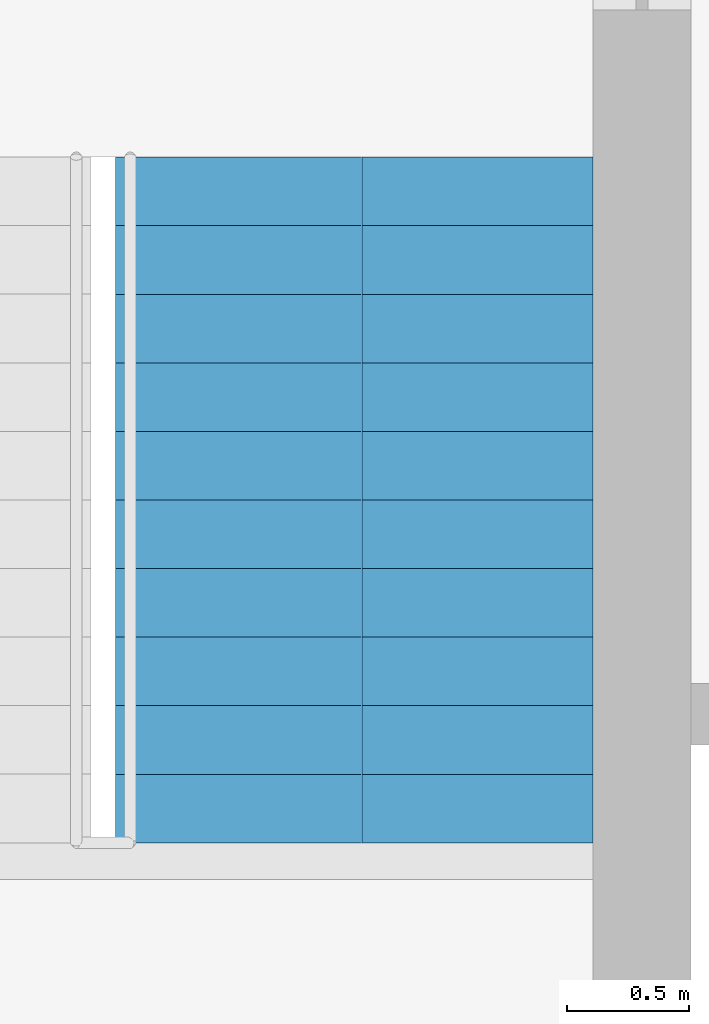
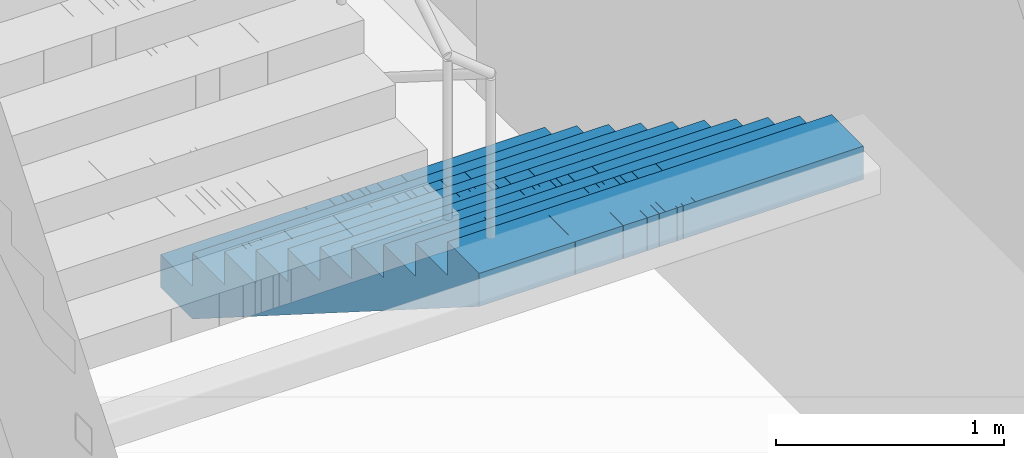
# One storey, part 21 of 22: 1 stair flight, 1 element without a shape of its own.
"""IFC4 building model written with IfcOpenShell, lengths in metres."""

from ifc_helpers import new_model, si_unit, direction, frame, origin, place, context, subcontext, project, spatial, polyline, outline, extrude, material, type_object, element, aggregate, save


model = new_model("IFC4")

# Units and contexts
model_context = context("Model", 3, precision=1e-05, world=origin(), true_north=direction((0.0, 1.0)))
body_context = subcontext(model_context, "Body", "Model", "MODEL_VIEW")
ifc_project = project(units=[si_unit("LENGTHUNIT", "METRE"), si_unit("AREAUNIT", "SQUARE_METRE"), si_unit("VOLUMEUNIT", "CUBIC_METRE"), si_unit("PLANEANGLEUNIT", "RADIAN"), si_unit("MASSUNIT", "GRAM", prefix="KILO")], contexts=[model_context])

# Site, building, storey
site_placement = place(None, origin())
site = spatial("IfcSite", under=ifc_project, at=site_placement, CompositionType="ELEMENT")
building_placement = place(site_placement, origin())
building = spatial("IfcBuilding", under=site, at=building_placement, Name="Mizan Broadcast Tower", CompositionType="ELEMENT")
storey_placement = place(building_placement, frame((0.0, 0.0, 70.800048828125)))
storey = spatial("IfcBuildingStorey", under=building, at=storey_placement, Name="L14", CompositionType="ELEMENT", Elevation=70.800048828125)

# Stair, stair flight
ifc_material_1 = material(Name="Concrete C40/50", Category="concrete")
stair_type = type_object("IfcStairType", Name="EXIT STAIR", PredefinedType="HALF_TURN_STAIR", material=ifc_material_1)
stair_placement = place(storey_placement, origin())
stair = element("IfcStair", 1, at=stair_placement, inside=storey, type_object=stair_type, Name="Stair B L14", PredefinedType="HALF_TURN_STAIR")
ifc_material_2 = material(Name="Concrete C40/50", Category="concrete")
stair_flight_type = type_object("IfcStairFlightType", Name="EXIT STAIR FLIGHT", PredefinedType="STRAIGHT", material=ifc_material_2)
stair_flight_placement = place(storey_placement, frame((1.02490234375, 7.89990234375, 0.0), z_axis=(0.0, 0.0, 1.0), x_axis=(0.0, -1.0, 0.0)))
stair_flight = element("IfcStairFlight", 2, at=stair_flight_placement, type_object=stair_flight_type, Name="B flight 1", NumberOfRisers=11, NumberOfTreads=10, PredefinedType="STRAIGHT", RiserHeight=0.177272727, TreadLength=0.28, context=body_context, shape_type="SweptSolid", body=[
    extrude(outline(polyline([(0.0, 0.0), (0.0, 0.17724609375), (0.280029296875, 0.17724609375), (0.280029296875, 0.3544921875), (0.56005859375, 0.3544921875), (0.56005859375, 0.53173828125), (0.840087890625, 0.53173828125), (0.840087890625, 0.708984375), (1.1201171875, 0.708984375), (1.1201171875, 0.886474609375), (1.39990234375, 0.886474609375), (1.39990234375, 1.063720703125), (1.679931640625, 1.063720703125), (1.679931640625, 1.240966796875), (1.9599609375, 1.240966796875), (1.9599609375, 1.418212890625), (2.239990234375, 1.418212890625), (2.239990234375, 1.595458984375), (2.52001953125, 1.595458984375), (2.52001953125, 1.772705078125), (2.800048828125, 1.772705078125), (2.800048828125, 1.949951171875), (2.800048828125, 1.59521484375), (0.2802734375, 0.0), (0.0, 0.0)])), frame((0.0, 0.97509765625, 0.0), z_axis=(0.0, -1.0, 0.0), x_axis=(1.0, 0.0, 0.0)), (0.0, 0.0, 1.0), 0.4873046875),
    extrude(outline(polyline([(0.0, 0.0), (0.0, 0.17724609375), (0.280029296875, 0.17724609375), (0.280029296875, 0.3544921875), (0.56005859375, 0.3544921875), (0.56005859375, 0.53173828125), (0.840087890625, 0.53173828125), (0.840087890625, 0.708984375), (1.1201171875, 0.708984375), (1.1201171875, 0.886474609375), (1.39990234375, 0.886474609375), (1.39990234375, 1.063720703125), (1.679931640625, 1.063720703125), (1.679931640625, 1.240966796875), (1.9599609375, 1.240966796875), (1.9599609375, 1.418212890625), (2.239990234375, 1.418212890625), (2.239990234375, 1.595458984375), (2.52001953125, 1.595458984375), (2.52001953125, 1.772705078125), (2.800048828125, 1.772705078125), (2.800048828125, 1.949951171875), (2.800048828125, 1.59521484375), (0.2802734375, 0.0), (0.0, 0.0)])), frame((0.0, 0.4873046875, 0.0), z_axis=(0.0, -1.0, 0.0), x_axis=(1.0, 0.0, 0.0)), (0.0, 0.0, 1.0), 0.2431640625),
    extrude(outline(polyline([(0.0, 0.0), (0.0, 0.17724609375), (0.280029296875, 0.17724609375), (0.280029296875, 0.3544921875), (0.56005859375, 0.3544921875), (0.56005859375, 0.53173828125), (0.840087890625, 0.53173828125), (0.840087890625, 0.708984375), (1.1201171875, 0.708984375), (1.1201171875, 0.886474609375), (1.39990234375, 0.886474609375), (1.39990234375, 1.063720703125), (1.679931640625, 1.063720703125), (1.679931640625, 1.240966796875), (1.9599609375, 1.240966796875), (1.9599609375, 1.418212890625), (2.239990234375, 1.418212890625), (2.239990234375, 1.595458984375), (2.52001953125, 1.595458984375), (2.52001953125, 1.772705078125), (2.800048828125, 1.772705078125), (2.800048828125, 1.949951171875), (2.800048828125, 1.59521484375), (0.2802734375, 0.0), (0.0, 0.0)])), frame((0.0, 0.24365234375, 0.0), z_axis=(0.0, -1.0, 0.0), x_axis=(1.0, 0.0, 0.0)), (0.0, 0.0, 1.0), 0.121337890625),
    extrude(outline(polyline([(0.0, 0.0), (0.0, 0.17724609375), (0.280029296875, 0.17724609375), (0.280029296875, 0.3544921875), (0.56005859375, 0.3544921875), (0.56005859375, 0.53173828125), (0.840087890625, 0.53173828125), (0.840087890625, 0.708984375), (1.1201171875, 0.708984375), (1.1201171875, 0.886474609375), (1.39990234375, 0.886474609375), (1.39990234375, 1.063720703125), (1.679931640625, 1.063720703125), (1.679931640625, 1.240966796875), (1.9599609375, 1.240966796875), (1.9599609375, 1.418212890625), (2.239990234375, 1.418212890625), (2.239990234375, 1.595458984375), (2.52001953125, 1.595458984375), (2.52001953125, 1.772705078125), (2.800048828125, 1.772705078125), (2.800048828125, 1.949951171875), (2.800048828125, 1.59521484375), (0.2802734375, 0.0), (0.0, 0.0)])), frame((0.0, 0.121826171875, 0.0), z_axis=(0.0, -1.0, 0.0), x_axis=(1.0, 0.0, 0.0)), (0.0, 0.0, 1.0), 0.060546875),
    extrude(outline(polyline([(0.0, 0.0), (0.0, 0.17724609375), (0.280029296875, 0.17724609375), (0.280029296875, 0.3544921875), (0.56005859375, 0.3544921875), (0.56005859375, 0.53173828125), (0.840087890625, 0.53173828125), (0.840087890625, 0.708984375), (1.1201171875, 0.708984375), (1.1201171875, 0.886474609375), (1.39990234375, 0.886474609375), (1.39990234375, 1.063720703125), (1.679931640625, 1.063720703125), (1.679931640625, 1.240966796875), (1.9599609375, 1.240966796875), (1.9599609375, 1.418212890625), (2.239990234375, 1.418212890625), (2.239990234375, 1.595458984375), (2.52001953125, 1.595458984375), (2.52001953125, 1.772705078125), (2.800048828125, 1.772705078125), (2.800048828125, 1.949951171875), (2.800048828125, 1.59521484375), (0.2802734375, 0.0), (0.0, 0.0)])), frame((0.0, 0.060791015625, 0.0), z_axis=(0.0, -1.0, 0.0), x_axis=(1.0, 0.0, 0.0)), (0.0, 0.0, 1.0), 0.030029296875),
    extrude(outline(polyline([(0.0, 0.0), (0.0, 0.17724609375), (0.280029296875, 0.17724609375), (0.280029296875, 0.3544921875), (0.56005859375, 0.3544921875), (0.56005859375, 0.53173828125), (0.840087890625, 0.53173828125), (0.840087890625, 0.708984375), (1.1201171875, 0.708984375), (1.1201171875, 0.886474609375), (1.39990234375, 0.886474609375), (1.39990234375, 1.063720703125), (1.679931640625, 1.063720703125), (1.679931640625, 1.240966796875), (1.9599609375, 1.240966796875), (1.9599609375, 1.418212890625), (2.239990234375, 1.418212890625), (2.239990234375, 1.595458984375), (2.52001953125, 1.595458984375), (2.52001953125, 1.772705078125), (2.800048828125, 1.772705078125), (2.800048828125, 1.949951171875), (2.800048828125, 1.59521484375), (0.2802734375, 0.0), (0.0, 0.0)])), frame((0.0, 0.0302734375, 0.0), z_axis=(0.0, -1.0, 0.0), x_axis=(1.0, 0.0, 0.0)), (0.0, 0.0, 1.0), 0.060302734375),
    extrude(outline(polyline([(0.0, 0.0), (0.0, 0.17724609375), (0.280029296875, 0.17724609375), (0.280029296875, 0.3544921875), (0.56005859375, 0.3544921875), (0.56005859375, 0.53173828125), (0.840087890625, 0.53173828125), (0.840087890625, 0.708984375), (1.1201171875, 0.708984375), (1.1201171875, 0.886474609375), (1.39990234375, 0.886474609375), (1.39990234375, 1.063720703125), (1.679931640625, 1.063720703125), (1.679931640625, 1.240966796875), (1.9599609375, 1.240966796875), (1.9599609375, 1.418212890625), (2.239990234375, 1.418212890625), (2.239990234375, 1.595458984375), (2.52001953125, 1.595458984375), (2.52001953125, 1.772705078125), (2.800048828125, 1.772705078125), (2.800048828125, 1.949951171875), (2.800048828125, 1.59521484375), (0.2802734375, 0.0), (0.0, 0.0)])), frame((0.0, -0.030517578125, 0.0), z_axis=(0.0, -1.0, 0.0), x_axis=(1.0, 0.0, 0.0)), (0.0, 0.0, 1.0), 0.030029296875),
    extrude(outline(polyline([(0.0, 0.0), (0.0, 0.17724609375), (0.280029296875, 0.17724609375), (0.280029296875, 0.3544921875), (0.56005859375, 0.3544921875), (0.56005859375, 0.53173828125), (0.840087890625, 0.53173828125), (0.840087890625, 0.708984375), (1.1201171875, 0.708984375), (1.1201171875, 0.886474609375), (1.39990234375, 0.886474609375), (1.39990234375, 1.063720703125), (1.679931640625, 1.063720703125), (1.679931640625, 1.240966796875), (1.9599609375, 1.240966796875), (1.9599609375, 1.418212890625), (2.239990234375, 1.418212890625), (2.239990234375, 1.595458984375), (2.52001953125, 1.595458984375), (2.52001953125, 1.772705078125), (2.800048828125, 1.772705078125), (2.800048828125, 1.949951171875), (2.800048828125, 1.59521484375), (0.2802734375, 0.0), (0.0, 0.0)])), frame((0.0, -0.06103515625, 0.0), z_axis=(0.0, -1.0, 0.0), x_axis=(1.0, 0.0, 0.0)), (0.0, 0.0, 1.0), 0.060546875),
    extrude(outline(polyline([(0.0, 0.0), (0.0, 0.17724609375), (0.280029296875, 0.17724609375), (0.280029296875, 0.3544921875), (0.56005859375, 0.3544921875), (0.56005859375, 0.53173828125), (0.840087890625, 0.53173828125), (0.840087890625, 0.708984375), (1.1201171875, 0.708984375), (1.1201171875, 0.886474609375), (1.39990234375, 0.886474609375), (1.39990234375, 1.063720703125), (1.679931640625, 1.063720703125), (1.679931640625, 1.240966796875), (1.9599609375, 1.240966796875), (1.9599609375, 1.418212890625), (2.239990234375, 1.418212890625), (2.239990234375, 1.595458984375), (2.52001953125, 1.595458984375), (2.52001953125, 1.772705078125), (2.800048828125, 1.772705078125), (2.800048828125, 1.949951171875), (2.800048828125, 1.59521484375), (0.2802734375, 0.0), (0.0, 0.0)])), frame((0.0, -0.1220703125, 0.0), z_axis=(0.0, -1.0, 0.0), x_axis=(1.0, 0.0, 0.0)), (0.0, 0.0, 1.0), 0.121337890625),
    extrude(outline(polyline([(0.0, 0.0), (0.0, 0.17724609375), (0.280029296875, 0.17724609375), (0.280029296875, 0.3544921875), (0.56005859375, 0.3544921875), (0.56005859375, 0.53173828125), (0.840087890625, 0.53173828125), (0.840087890625, 0.708984375), (1.1201171875, 0.708984375), (1.1201171875, 0.886474609375), (1.39990234375, 0.886474609375), (1.39990234375, 1.063720703125), (1.679931640625, 1.063720703125), (1.679931640625, 1.240966796875), (1.9599609375, 1.240966796875), (1.9599609375, 1.418212890625), (2.239990234375, 1.418212890625), (2.239990234375, 1.595458984375), (2.52001953125, 1.595458984375), (2.52001953125, 1.772705078125), (2.800048828125, 1.772705078125), (2.800048828125, 1.949951171875), (2.800048828125, 1.59521484375), (0.2802734375, 0.0), (0.0, 0.0)])), frame((0.0, -0.243896484375, 0.0), z_axis=(0.0, -1.0, 0.0), x_axis=(1.0, 0.0, 0.0)), (0.0, 0.0, 1.0), 0.2431640625),
    extrude(outline(polyline([(0.0, 0.0), (0.0, 0.17724609375), (0.280029296875, 0.17724609375), (0.280029296875, 0.3544921875), (0.56005859375, 0.3544921875), (0.56005859375, 0.53173828125), (0.840087890625, 0.53173828125), (0.840087890625, 0.708984375), (1.1201171875, 0.708984375), (1.1201171875, 0.886474609375), (1.39990234375, 0.886474609375), (1.39990234375, 1.063720703125), (1.679931640625, 1.063720703125), (1.679931640625, 1.240966796875), (1.9599609375, 1.240966796875), (1.9599609375, 1.418212890625), (2.239990234375, 1.418212890625), (2.239990234375, 1.595458984375), (2.52001953125, 1.595458984375), (2.52001953125, 1.772705078125), (2.800048828125, 1.772705078125), (2.800048828125, 1.949951171875), (2.800048828125, 1.59521484375), (0.2802734375, 0.0), (0.0, 0.0)])), frame((0.0, -0.487548828125, 0.0), z_axis=(0.0, -1.0, 0.0), x_axis=(1.0, 0.0, 0.0)), (0.0, 0.0, 1.0), 0.4873046875),
])
aggregate(stair, [stair_flight])

save(model, "model.ifc")
